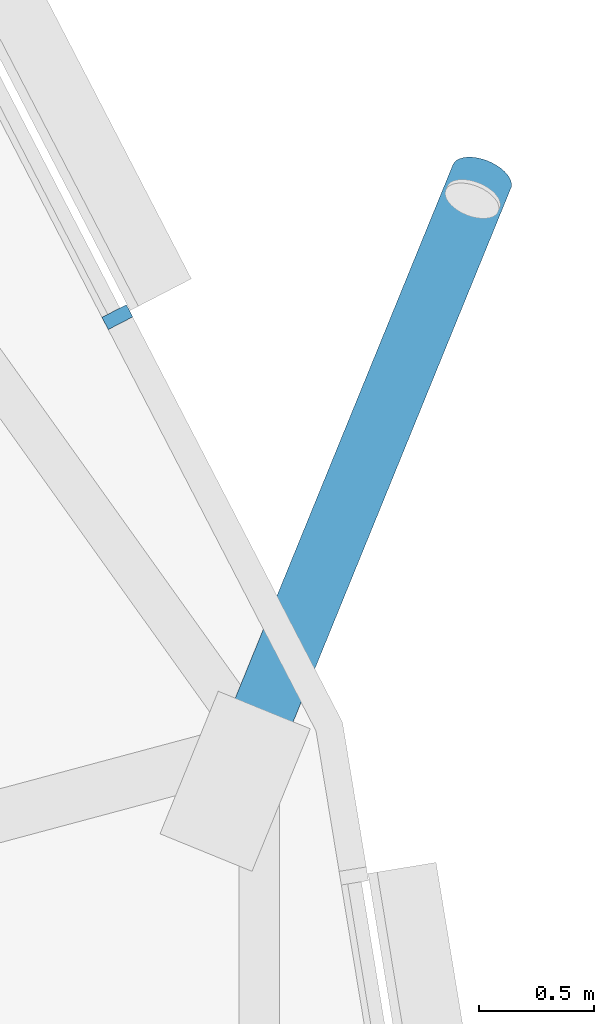
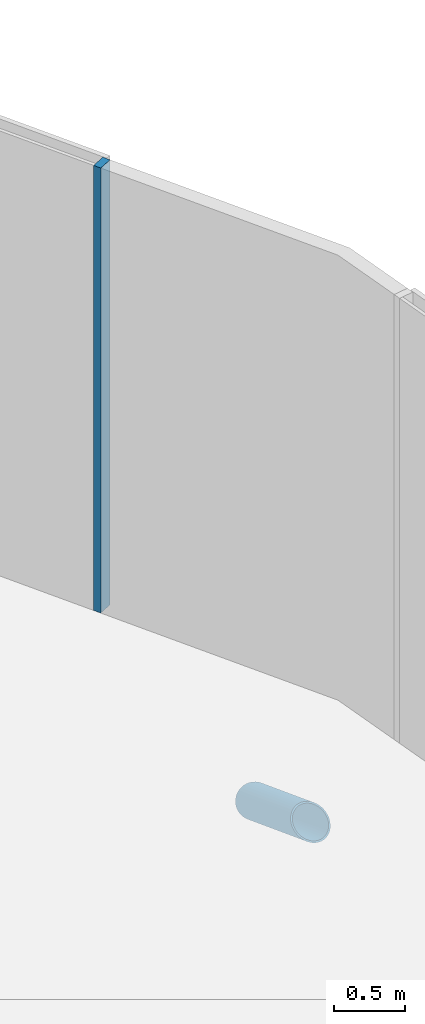
# One storey, part 8 of 40: 2 members, 1 element without a shape of its own.
"""IFC4 building model written with IfcOpenShell, lengths in metres."""

from ifc_helpers import new_model, si_unit, direction, frame, origin, origin_2d, place, context, subcontext, project, spatial, rectangle, hollow_circle, extrude, clip, halfspace, material, material_profile, profile_set, type_object, element, aggregate, save


model = new_model("IFC4")

# Units and contexts
model_context = context("Model", 3, precision=1e-05, world=origin(), true_north=direction((0.0, 1.0)))
body_context = subcontext(model_context, "Body", "Model", "MODEL_VIEW")
ifc_project = project(units=[si_unit("LENGTHUNIT", "METRE"), si_unit("AREAUNIT", "SQUARE_METRE"), si_unit("VOLUMEUNIT", "CUBIC_METRE"), si_unit("PLANEANGLEUNIT", "RADIAN"), si_unit("MASSUNIT", "GRAM", prefix="KILO")], contexts=[model_context])

# Site, building, storey
site_placement = place(None, origin())
site = spatial("IfcSite", under=ifc_project, at=site_placement, CompositionType="ELEMENT")
building_placement = place(site_placement, origin())
building = spatial("IfcBuilding", under=site, at=building_placement, Name="Rimbun Link Towers", CompositionType="ELEMENT")
storey_placement = place(building_placement, frame((0.0, 0.0, 89.199951171875)))
storey = spatial("IfcBuildingStorey", under=building, at=storey_placement, Name="L21", CompositionType="ELEMENT", Elevation=89.199951171875)

# Curtain wall, member
ifc_material_1 = material(Name="Aluminium 6063-T6 and low-iron glass", Category="aluminium")
curtain_wall_type = type_object("IfcCurtainWallType", Name="CW1-Z2 unitised vision wall (zone 2)", PredefinedType="NOTDEFINED", material=ifc_material_1)
curtain_wall_placement = place(storey_placement, origin())
curtain_wall = element("IfcCurtainWall", 1, at=curtain_wall_placement, inside=storey, type_object=curtain_wall_type, Name="CW1 L21 T1", PredefinedType="NOTDEFINED")
ifc_material_2 = material(Name="Aluminium 6063-T6", Category="aluminium")
ifc_material_profile_1 = material_profile(ifc_material_2, rectangle(XDim=0.1201171875, YDim=0.06005859375, at=origin_2d()), Name="MULLION 60X120")
ifc_profile_set_1 = profile_set([ifc_material_profile_1], Name="Aluminium 6063-T6")
member_type_1 = type_object("IfcMemberType", Name="CW1 mullion 60X120", PredefinedType="MULLION", material=ifc_profile_set_1)
member_1_placement = place(storey_placement, frame((-9.910400390625, 7.8876953125, 0.0), z_axis=(0.0, 0.0, 1.0), x_axis=(0.888154791602, 0.459544411514, 0.0)))
member_1 = element("IfcMember", 2, at=member_1_placement, type_object=member_type_1, Name="CW1 mullion", PredefinedType="MULLION", context=body_context, shape_type="SweptSolid", body=[
    extrude(rectangle(XDim=0.1201171875, YDim=0.06005859375, at=origin_2d()), origin(), (0.0, 0.0, 1.0), 3.800048828125),
])
aggregate(curtain_wall, [member_1])

# Member
ifc_material_3 = material(Name="Steel S355J2H", Category="steel")
ifc_material_profile_2 = material_profile(ifc_material_3, hollow_circle(Radius=0.136474609375, WallThickness=0.012451171875, at=origin_2d()), Name="CHS 273x12.5")
ifc_profile_set_2 = profile_set([ifc_material_profile_2], Name="Steel S355J2H")
member_type_2 = type_object("IfcMemberType", Name="Floor edge link CHS 273x12.5", PredefinedType="BRACE", material=ifc_profile_set_2)
member_2_placement = place(storey_placement, frame((-9.340087890625, 6.004638671875, -0.8779296875), z_axis=(0.319465655973, 0.782736801379, -0.534101857721), x_axis=(-0.925855404281, 0.377877983434, 0.0)))
element("IfcMember", 3, at=member_2_placement, inside=storey, type_object=member_type_2, Name="Floor edge link T1 L21 01", PredefinedType="BRACE", context=body_context, shape_type="Clipping", body=[
    clip(extrude(hollow_circle(Radius=0.136474609375, WallThickness=0.012451171875, at=origin_2d()), frame((0.0, 0.0, -0.450927734375)), (0.0, 0.0, 1.0), 3.63916015625), halfspace(frame((0.0, 0.0, -0.212158203125), z_axis=(0.0, 0.845420135542, -0.534101857721)), False)),
])

save(model, "model.ifc")
